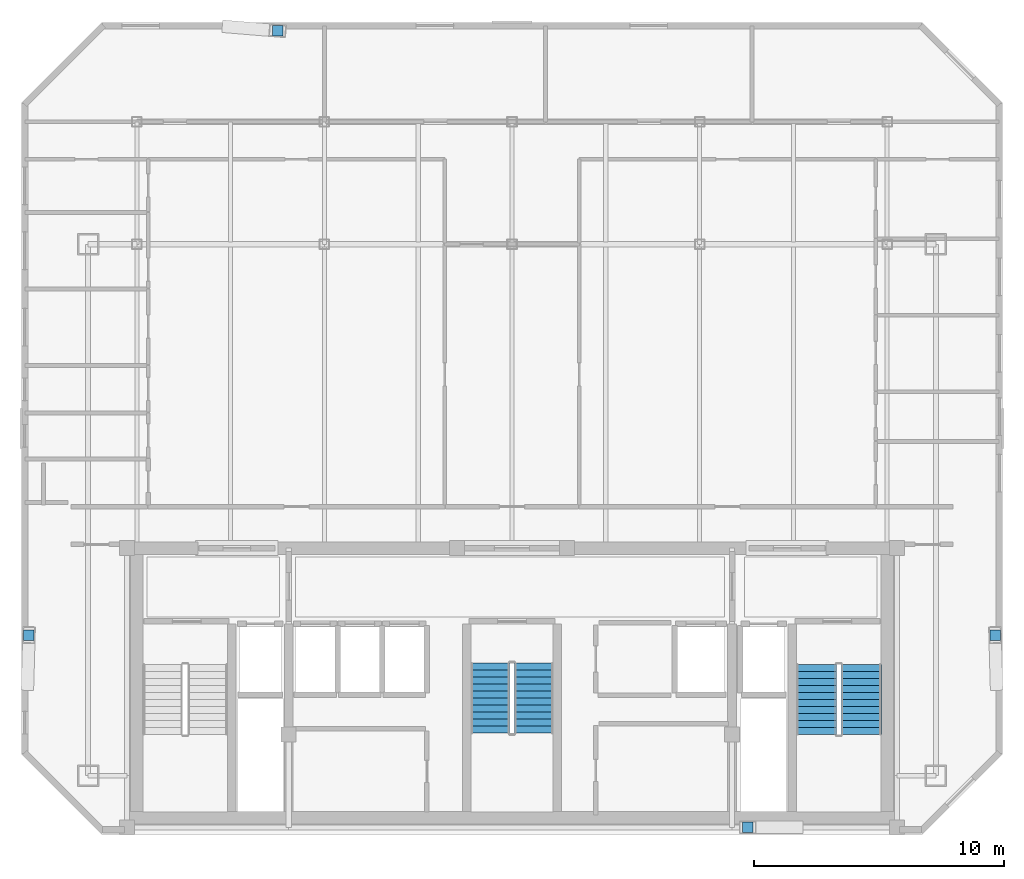
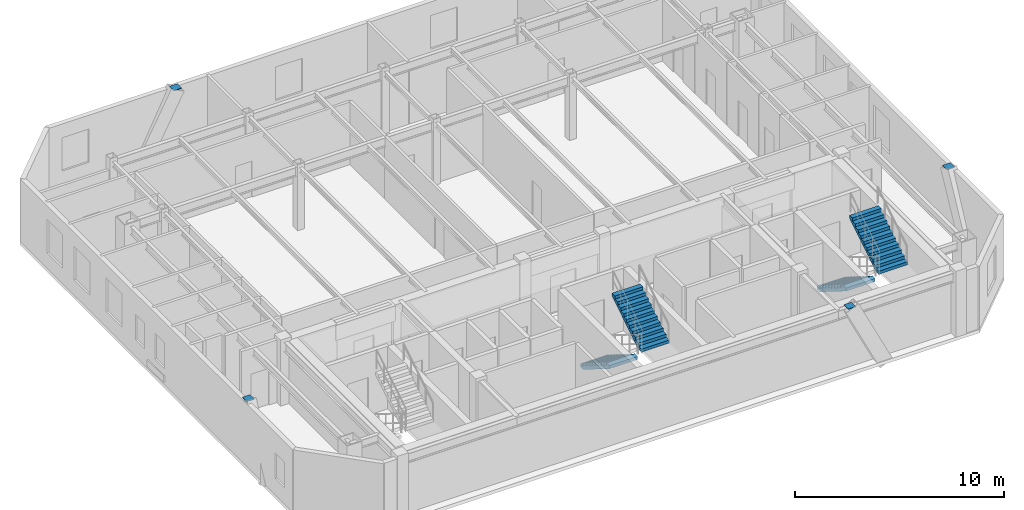
# One storey, part 6 of 7: 4 discrete accessories, 4 stair flights, 2 elements without a shape of their own.
"""IFC4 building model written with IfcOpenShell, lengths in metres."""

from ifc_helpers import new_model, si_unit, direction, frame, origin, origin_2d, place, context, subcontext, project, spatial, polyline, rectangle, outline, extrude, material, type_object, element, aggregate, save


model = new_model("IFC4")

# Units and contexts
model_context = context("Model", 3, precision=1e-05, world=origin(), true_north=direction((0.0, 1.0)))
body_context = subcontext(model_context, "Body", "Model", "MODEL_VIEW")
ifc_project = project(units=[si_unit("LENGTHUNIT", "METRE"), si_unit("AREAUNIT", "SQUARE_METRE"), si_unit("VOLUMEUNIT", "CUBIC_METRE"), si_unit("PLANEANGLEUNIT", "RADIAN"), si_unit("MASSUNIT", "GRAM", prefix="KILO")], contexts=[model_context])

# Site, building, storey
site_placement = place(None, origin())
site = spatial("IfcSite", under=ifc_project, at=site_placement, CompositionType="ELEMENT")
building_placement = place(site_placement, origin())
building = spatial("IfcBuilding", under=site, at=building_placement, Name="Ventersveld Concourse Tower", CompositionType="ELEMENT")
storey_placement = place(building_placement, frame((0.0, 0.0, 324.60009765625)))
storey = spatial("IfcBuildingStorey", under=building, at=storey_placement, Name="L80", CompositionType="ELEMENT", Elevation=324.60009765625)

# Stair, stair flights
ifc_material_1 = material(Name="Concrete C50/60", Category="concrete")
stair_type_1 = type_object("IfcStairType", Name="ST-DOG-155", PredefinedType="HALF_TURN_STAIR", material=ifc_material_1)
stair_1_placement = place(storey_placement, origin())
stair_1 = element("IfcStair", 1, at=stair_1_placement, inside=storey, type_object=stair_type_1, Name="L80 Protected Central Core Escape Stair ST-03", PredefinedType="HALF_TURN_STAIR")
stair_flight_type_1 = type_object("IfcStairFlightType", Name="STF-RC-155", PredefinedType="STRAIGHT", material=ifc_material_1)
stair_flight_1_placement = place(storey_placement, frame((27.875, 6.85009765625, 0.0), z_axis=(0.0, 0.0, 1.0), x_axis=(0.0, -1.0, 0.0)))
stair_flight_1 = element("IfcStairFlight", 2, at=stair_flight_1_placement, type_object=stair_flight_type_1, Name="ST-03 flight 1", NumberOfRisers=11, NumberOfTreads=10, PredefinedType="STRAIGHT", RiserHeight=0.175, TreadLength=0.28, context=body_context, shape_type="SweptSolid", body=[
    extrude(outline(polyline([(0.0, 0.0), (0.0, 0.175048828125), (0.280029296875, 0.175048828125), (0.280029296875, 0.35009765625), (0.56005859375, 0.35009765625), (0.56005859375, 0.52490234375), (0.840087890625, 0.52490234375), (0.840087890625, 0.699951171875), (1.1201171875, 0.699951171875), (1.1201171875, 0.875), (1.39990234375, 0.875), (1.39990234375, 1.050048828125), (1.679931640625, 1.050048828125), (1.679931640625, 1.22509765625), (1.9599609375, 1.22509765625), (1.9599609375, 1.39990234375), (2.239990234375, 1.39990234375), (2.239990234375, 1.574951171875), (2.52001953125, 1.574951171875), (2.52001953125, 1.75), (2.800048828125, 1.75), (2.800048828125, 1.925048828125), (2.800048828125, 1.5732421875), (0.28271484375, 0.0), (0.0, 0.0)])), frame((0.0, 0.77490234375, 0.0), z_axis=(0.0, -1.0, 0.0), x_axis=(1.0, 0.0, 0.0)), (0.0, 0.0, 1.0), 1.550048828125),
])
stair_flight_2_placement = place(storey_placement, frame((29.625, 4.050048828125, 1.9248046875), z_axis=(0.0, 0.0, 1.0), x_axis=(0.0, 1.0, 0.0)))
stair_flight_2 = element("IfcStairFlight", 3, at=stair_flight_2_placement, type_object=stair_flight_type_1, Name="ST-03 flight 2", NumberOfRisers=11, NumberOfTreads=10, PredefinedType="STRAIGHT", RiserHeight=0.175, TreadLength=0.28, context=body_context, shape_type="SweptSolid", body=[
    extrude(outline(polyline([(0.0, 0.0), (0.0, 0.175048828125), (0.280029296875, 0.175048828125), (0.280029296875, 0.35009765625), (0.56005859375, 0.35009765625), (0.56005859375, 0.52490234375), (0.840087890625, 0.52490234375), (0.840087890625, 0.699951171875), (1.1201171875, 0.699951171875), (1.1201171875, 0.875), (1.39990234375, 0.875), (1.39990234375, 1.050048828125), (1.679931640625, 1.050048828125), (1.679931640625, 1.22509765625), (1.9599609375, 1.22509765625), (1.9599609375, 1.39990234375), (2.239990234375, 1.39990234375), (2.239990234375, 1.574951171875), (2.52001953125, 1.574951171875), (2.52001953125, 1.75), (2.800048828125, 1.75), (2.800048828125, 1.925048828125), (2.800048828125, 1.5732421875), (0.28271484375, 0.0), (0.0, 0.0)])), frame((0.0, 0.77490234375, 0.0), z_axis=(0.0, -1.0, 0.0), x_axis=(1.0, 0.0, 0.0)), (0.0, 0.0, 1.0), 1.550048828125),
])
aggregate(stair_1, [stair_flight_1, stair_flight_2])

stair_type_2 = type_object("IfcStairType", Name="ST-DOG-160", PredefinedType="HALF_TURN_STAIR", material=ifc_material_1)
stair_2_placement = place(storey_placement, origin())
stair_2 = element("IfcStair", 4, at=stair_2_placement, inside=storey, type_object=stair_type_2, Name="L80 Protected Tower Escape Stair ST-02", PredefinedType="HALF_TURN_STAIR")
stair_flight_type_2 = type_object("IfcStairFlightType", Name="STF-RC-160", PredefinedType="STRAIGHT", material=ifc_material_1)
stair_flight_3_placement = place(storey_placement, frame((40.919921875, 6.800048828125, 0.0), z_axis=(0.0, 0.0, 1.0), x_axis=(0.0, -1.0, 0.0)))
stair_flight_3 = element("IfcStairFlight", 5, at=stair_flight_3_placement, type_object=stair_flight_type_2, Name="ST-02 flight 1", NumberOfRisers=11, NumberOfTreads=10, PredefinedType="STRAIGHT", RiserHeight=0.175, TreadLength=0.28, context=body_context, shape_type="SweptSolid", body=[
    extrude(outline(polyline([(0.0, 0.0), (0.0, 0.175048828125), (0.280029296875, 0.175048828125), (0.280029296875, 0.35009765625), (0.56005859375, 0.35009765625), (0.56005859375, 0.52490234375), (0.840087890625, 0.52490234375), (0.840087890625, 0.699951171875), (1.1201171875, 0.699951171875), (1.1201171875, 0.875), (1.39990234375, 0.875), (1.39990234375, 1.050048828125), (1.679931640625, 1.050048828125), (1.679931640625, 1.22509765625), (1.9599609375, 1.22509765625), (1.9599609375, 1.39990234375), (2.239990234375, 1.39990234375), (2.239990234375, 1.574951171875), (2.52001953125, 1.574951171875), (2.52001953125, 1.75), (2.800048828125, 1.75), (2.800048828125, 1.925048828125), (2.800048828125, 1.5732421875), (0.28271484375, 0.0), (0.0, 0.0)])), frame((0.0, 0.800048828125, 0.0), z_axis=(0.0, -1.0, 0.0), x_axis=(1.0, 0.0, 0.0)), (0.0, 0.0, 1.0), 1.60009765625),
])
stair_flight_4_placement = place(storey_placement, frame((42.719970703125, 4.0, 1.9248046875), z_axis=(0.0, 0.0, 1.0), x_axis=(0.0, 1.0, 0.0)))
stair_flight_4 = element("IfcStairFlight", 6, at=stair_flight_4_placement, type_object=stair_flight_type_2, Name="ST-02 flight 2", NumberOfRisers=11, NumberOfTreads=10, PredefinedType="STRAIGHT", RiserHeight=0.175, TreadLength=0.28, context=body_context, shape_type="SweptSolid", body=[
    extrude(outline(polyline([(0.0, 0.0), (0.0, 0.175048828125), (0.280029296875, 0.175048828125), (0.280029296875, 0.35009765625), (0.56005859375, 0.35009765625), (0.56005859375, 0.52490234375), (0.840087890625, 0.52490234375), (0.840087890625, 0.699951171875), (1.1201171875, 0.699951171875), (1.1201171875, 0.875), (1.39990234375, 0.875), (1.39990234375, 1.050048828125), (1.679931640625, 1.050048828125), (1.679931640625, 1.22509765625), (1.9599609375, 1.22509765625), (1.9599609375, 1.39990234375), (2.239990234375, 1.39990234375), (2.239990234375, 1.574951171875), (2.52001953125, 1.574951171875), (2.52001953125, 1.75), (2.800048828125, 1.75), (2.800048828125, 1.925048828125), (2.800048828125, 1.5732421875), (0.28271484375, 0.0), (0.0, 0.0)])), frame((0.0, 0.800048828125, 0.0), z_axis=(0.0, -1.0, 0.0), x_axis=(1.0, 0.0, 0.0)), (0.0, 0.0, 1.0), 1.60009765625),
])
aggregate(stair_2, [stair_flight_3, stair_flight_4])

# Discrete accessories
ifc_material_2 = material(Name="Structural steel S355J2", Category="steel")
discrete_accessory_type = type_object("IfcDiscreteAccessoryType", Name="CONN-BRACE-ECP1", PredefinedType="BRACKET", material=ifc_material_2)
for number, where, z_axis, x_axis, name in (
    (7, (19.375, 32.13916015625, 3.6298828125), (0.0, 0.0, 1.0), (1.0, 0.0, 0.0), "L80 Steel Brace End Connection Plate ECP1-0502"),
    (8, (38.175048828125, 0.280029296875, 3.6298828125), (0.0, 0.0, 1.0), (1.0, 0.0, 0.0), "L80 Steel Brace End Connection Plate ECP1-0506"),
    (9, (9.432861328125, 7.97509765625, 3.6298828125), (0.0, 0.0, 1.0), (1.0, 0.0, 0.0), "L80 Steel Brace End Connection Plate ECP1-0510"),
    (10, (48.067138671875, 7.97509765625, 3.6298828125), (0.0, 0.0, 1.0), (1.0, 0.0, 0.0), "L80 Steel Brace End Connection Plate ECP1-0514"),
):
    element("IfcDiscreteAccessory", number, at=place(storey_placement, frame(where, z_axis=z_axis, x_axis=x_axis)), inside=storey, type_object=discrete_accessory_type, Name=name, PredefinedType="BRACKET", context=body_context, shape_type="SweptSolid", body=[
        extrude(rectangle(XDim=0.419921875, YDim=0.419921875, at=origin_2d()), origin(), (0.0, 0.0, 1.0), 0.0400390625),
    ])

save(model, "model.ifc")
